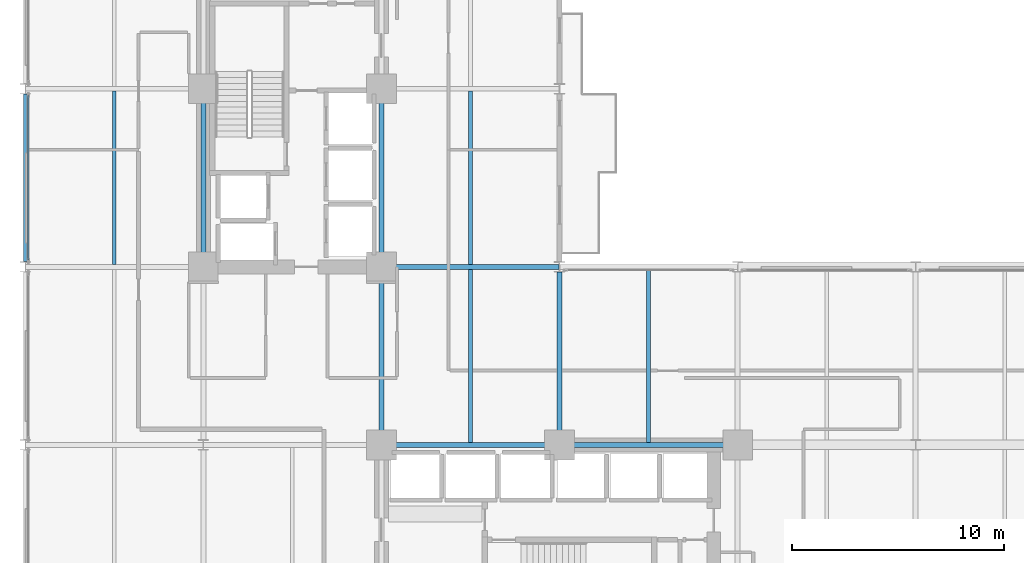
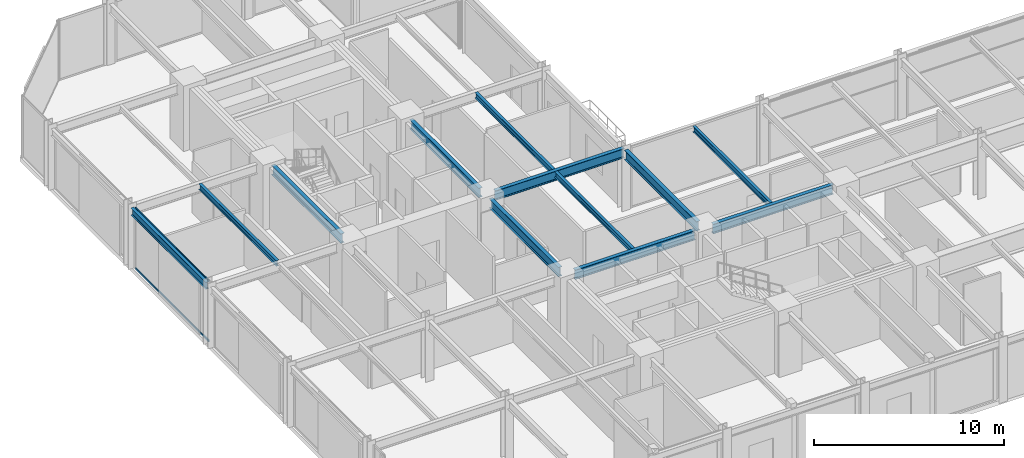
# One storey, part 7 of 25: 12 beams, 2 members, 1 element without a shape of its own.
"""IFC4 building model written with IfcOpenShell, lengths in metres."""

from ifc_helpers import new_model, si_unit, direction, frame, origin, origin_2d, place, context, subcontext, project, spatial, hollow_rectangle, i_section, extrude, material, layer, layer_set, material_profile, profile_set, type_object, element, aggregate, save


model = new_model("IFC4")

# Units and contexts
model_context = context("Model", 3, precision=1e-05, world=origin(), true_north=direction((0.0, 1.0)))
body_context = subcontext(model_context, "Body", "Model", "MODEL_VIEW")
ifc_project = project(units=[si_unit("LENGTHUNIT", "METRE"), si_unit("AREAUNIT", "SQUARE_METRE"), si_unit("VOLUMEUNIT", "CUBIC_METRE"), si_unit("PLANEANGLEUNIT", "RADIAN"), si_unit("MASSUNIT", "GRAM", prefix="KILO")], contexts=[model_context])

# Site, building, storey
site_placement = place(None, origin())
site = spatial("IfcSite", under=ifc_project, at=site_placement, CompositionType="ELEMENT")
building_placement = place(site_placement, origin())
building = spatial("IfcBuilding", under=site, at=building_placement, Name="Nerrivon Quay Data Exchange", CompositionType="ELEMENT")
storey_placement = place(building_placement, frame((0.0, 0.0, 58.39990234375)))
storey = spatial("IfcBuildingStorey", under=building, at=storey_placement, Name="L13", CompositionType="ELEMENT", Elevation=58.39990234375)

# Beams
ifc_material_1 = material(Name="Steel Grade 350", Category="steel")
ifc_material_profile_1 = material_profile(ifc_material_1, i_section(OverallWidth=0.22900390625, OverallDepth=0.612060546875, WebThickness=0.011962890625, FlangeThickness=0.01953125, FilletRadius=0.013916015625, at=origin_2d()), Name="610UB125")
ifc_profile_set_1 = profile_set([ifc_material_profile_1], Name="Steel Grade 350")
beam_type_1 = type_object("IfcBeamType", Name="BM-G1-610UB125", PredefinedType="BEAM", material=ifc_profile_set_1)
beam_1_placement = place(storey_placement, frame((17.340087890625, 16.800048828125, 3.619140625), z_axis=(1.0, 0.0, 0.0), x_axis=(0.0, 1.0, 0.0)))
element("IfcBeam", 1, at=beam_1_placement, inside=storey, type_object=beam_type_1, Name="L13 EW Girder Y=16.8 (16.8..25.2)", PredefinedType="BEAM", context=body_context, shape_type="SweptSolid", body=[
    extrude(i_section(OverallWidth=0.22900390625, OverallDepth=0.612060546875, WebThickness=0.011962890625, FlangeThickness=0.01953125, FilletRadius=0.013916015625, at=origin_2d()), origin(), (0.0, 0.0, 1.0), 7.31982421875),
])
beam_2_placement = place(storey_placement, frame((25.739990234375, 16.800048828125, 3.619140625), z_axis=(1.0, 0.0, 0.0), x_axis=(0.0, 1.0, 0.0)))
element("IfcBeam", 2, at=beam_2_placement, inside=storey, type_object=beam_type_1, Name="L13 EW Girder Y=16.8 (25.2..33.6)", PredefinedType="BEAM", context=body_context, shape_type="SweptSolid", body=[
    extrude(i_section(OverallWidth=0.22900390625, OverallDepth=0.612060546875, WebThickness=0.011962890625, FlangeThickness=0.01953125, FilletRadius=0.013916015625, at=origin_2d()), origin(), (0.0, 0.0, 1.0), 7.320068359375),
])
beam_3_placement = place(storey_placement, frame((17.340087890625, 25.199951171875, 3.619140625), z_axis=(1.0, 0.0, 0.0), x_axis=(0.0, 1.0, 0.0)))
element("IfcBeam", 3, at=beam_3_placement, inside=storey, type_object=beam_type_1, Name="L13 EW Girder Y=25.2 (16.8..25.2)", PredefinedType="BEAM", context=body_context, shape_type="SweptSolid", body=[
    extrude(i_section(OverallWidth=0.22900390625, OverallDepth=0.612060546875, WebThickness=0.011962890625, FlangeThickness=0.01953125, FilletRadius=0.013916015625, at=origin_2d()), origin(), (0.0, 0.0, 1.0), 7.845947265625),
])
ifc_material_profile_2 = material_profile(ifc_material_1, i_section(OverallWidth=0.22802734375, OverallDepth=0.60205078125, WebThickness=0.010498046875, FlangeThickness=0.014892578125, FilletRadius=0.013916015625, at=origin_2d()), Name="610UB101")
ifc_profile_set_2 = profile_set([ifc_material_profile_2], Name="Steel Grade 350")
beam_type_2 = type_object("IfcBeamType", Name="BM-G2-610UB101", PredefinedType="BEAM", material=ifc_profile_set_2)
beam_4_placement = place(storey_placement, frame((8.39990234375, 25.739990234375, 3.6240234375), z_axis=(0.0, 1.0, 0.0), x_axis=(-1.0, 0.0, 0.0)))
element("IfcBeam", 4, at=beam_4_placement, inside=storey, type_object=beam_type_2, Name="L13 NS Girder X=8.4 (25.2..33.6)", PredefinedType="BEAM", context=body_context, shape_type="SweptSolid", body=[
    extrude(i_section(OverallWidth=0.22802734375, OverallDepth=0.60205078125, WebThickness=0.010498046875, FlangeThickness=0.014892578125, FilletRadius=0.013916015625, at=origin_2d()), origin(), (0.0, 0.0, 1.0), 7.320068359375),
])
beam_5_placement = place(storey_placement, frame((16.800048828125, 17.340087890625, 3.6240234375), z_axis=(0.0, 1.0, 0.0), x_axis=(-1.0, 0.0, 0.0)))
element("IfcBeam", 5, at=beam_5_placement, inside=storey, type_object=beam_type_2, Name="L13 NS Girder X=16.8 (16.8..25.2)", PredefinedType="BEAM", context=body_context, shape_type="SweptSolid", body=[
    extrude(i_section(OverallWidth=0.22802734375, OverallDepth=0.60205078125, WebThickness=0.010498046875, FlangeThickness=0.014892578125, FilletRadius=0.013916015625, at=origin_2d()), origin(), (0.0, 0.0, 1.0), 7.31982421875),
])
beam_6_placement = place(storey_placement, frame((16.800048828125, 25.739990234375, 3.6240234375), z_axis=(0.0, 1.0, 0.0), x_axis=(-1.0, 0.0, 0.0)))
element("IfcBeam", 6, at=beam_6_placement, inside=storey, type_object=beam_type_2, Name="L13 NS Girder X=16.8 (25.2..33.6)", PredefinedType="BEAM", context=body_context, shape_type="SweptSolid", body=[
    extrude(i_section(OverallWidth=0.22802734375, OverallDepth=0.60205078125, WebThickness=0.010498046875, FlangeThickness=0.014892578125, FilletRadius=0.013916015625, at=origin_2d()), origin(), (0.0, 0.0, 1.0), 7.320068359375),
])
beam_7_placement = place(storey_placement, frame((25.199951171875, 17.340087890625, 3.6240234375), z_axis=(0.0, 1.0, 0.0), x_axis=(-1.0, 0.0, 0.0)))
element("IfcBeam", 7, at=beam_7_placement, inside=storey, type_object=beam_type_2, Name="L13 NS Girder X=25.2 (16.8..25.2)", PredefinedType="BEAM", context=body_context, shape_type="SweptSolid", body=[
    extrude(i_section(OverallWidth=0.22802734375, OverallDepth=0.60205078125, WebThickness=0.010498046875, FlangeThickness=0.014892578125, FilletRadius=0.013916015625, at=origin_2d()), origin(), (0.0, 0.0, 1.0), 7.60986328125),
])
ifc_material_profile_3 = material_profile(ifc_material_1, i_section(OverallWidth=0.172119140625, OverallDepth=0.35888671875, WebThickness=0.008056640625, FlangeThickness=0.012939453125, FilletRadius=0.011474609375, at=origin_2d()), Name="360UB56.7")
ifc_profile_set_3 = profile_set([ifc_material_profile_3], Name="Steel Grade 350")
beam_type_3 = type_object("IfcBeamType", Name="BM-J3-360UB57", PredefinedType="JOIST", material=ifc_profile_set_3)
beam_8_placement = place(storey_placement, frame((4.199951171875, 25.314453125, 3.74560546875), z_axis=(0.0, 1.0, 0.0), x_axis=(-1.0, 0.0, 0.0)))
element("IfcBeam", 8, at=beam_8_placement, inside=storey, type_object=beam_type_3, Name="L13 Secondary Joist X=4.2 (25.2..33.6)", PredefinedType="JOIST", context=body_context, shape_type="SweptSolid", body=[
    extrude(i_section(OverallWidth=0.172119140625, OverallDepth=0.35888671875, WebThickness=0.008056640625, FlangeThickness=0.012939453125, FilletRadius=0.011474609375, at=origin_2d()), origin(), (0.0, 0.0, 1.0), 8.171142578125),
])
beam_9_placement = place(storey_placement, frame((21.0, 16.91455078125, 3.74560546875), z_axis=(0.0, 1.0, 0.0), x_axis=(-1.0, 0.0, 0.0)))
element("IfcBeam", 9, at=beam_9_placement, inside=storey, type_object=beam_type_3, Name="L13 Secondary Joist X=21.0 (16.8..25.2)", PredefinedType="JOIST", context=body_context, shape_type="SweptSolid", body=[
    extrude(i_section(OverallWidth=0.172119140625, OverallDepth=0.35888671875, WebThickness=0.008056640625, FlangeThickness=0.012939453125, FilletRadius=0.011474609375, at=origin_2d()), origin(), (0.0, 0.0, 1.0), 8.1708984375),
])
beam_10_placement = place(storey_placement, frame((21.0, 25.314453125, 3.74560546875), z_axis=(0.0, 1.0, 0.0), x_axis=(-1.0, 0.0, 0.0)))
element("IfcBeam", 10, at=beam_10_placement, inside=storey, type_object=beam_type_3, Name="L13 Secondary Joist X=21.0 (25.2..33.6)", PredefinedType="JOIST", context=body_context, shape_type="SweptSolid", body=[
    extrude(i_section(OverallWidth=0.172119140625, OverallDepth=0.35888671875, WebThickness=0.008056640625, FlangeThickness=0.012939453125, FilletRadius=0.011474609375, at=origin_2d()), origin(), (0.0, 0.0, 1.0), 8.171142578125),
])
beam_11_placement = place(storey_placement, frame((29.39990234375, 16.91455078125, 3.74560546875), z_axis=(0.0, 1.0, 0.0), x_axis=(-1.0, 0.0, 0.0)))
element("IfcBeam", 11, at=beam_11_placement, inside=storey, type_object=beam_type_3, Name="L13 Secondary Joist X=29.4 (16.8..25.2)", PredefinedType="JOIST", context=body_context, shape_type="SweptSolid", body=[
    extrude(i_section(OverallWidth=0.172119140625, OverallDepth=0.35888671875, WebThickness=0.008056640625, FlangeThickness=0.012939453125, FilletRadius=0.011474609375, at=origin_2d()), origin(), (0.0, 0.0, 1.0), 8.1708984375),
])
ifc_material_profile_4 = material_profile(ifc_material_1, i_section(OverallWidth=0.18994140625, OverallDepth=0.4541015625, WebThickness=0.008544921875, FlangeThickness=0.0126953125, FilletRadius=0.011474609375, at=origin_2d()), Name="460UB67.1")
ifc_profile_set_4 = profile_set([ifc_material_profile_4], Name="Steel Grade 350")
beam_type_4 = type_object("IfcBeamType", Name="BM-SP1-460UB67", PredefinedType="SPANDREL", material=ifc_profile_set_4)
beam_12_placement = place(storey_placement, frame((0.0, 25.449951171875, 3.697998046875), z_axis=(0.0, 1.0, 0.0), x_axis=(-1.0, 0.0, 0.0)))
element("IfcBeam", 12, at=beam_12_placement, inside=storey, type_object=beam_type_4, Name="L13 NS Girder X=0.0 (25.2..33.6)", PredefinedType="SPANDREL", context=body_context, shape_type="SweptSolid", body=[
    extrude(i_section(OverallWidth=0.18994140625, OverallDepth=0.4541015625, WebThickness=0.008544921875, FlangeThickness=0.0126953125, FilletRadius=0.011474609375, at=origin_2d()), origin(), (0.0, 0.0, 1.0), 7.900146484375),
])

# Curtain wall, members
ifc_material_2 = material(Name="Anodised aluminium 6063-T6", Category="aluminium")
ifc_layer = layer(ifc_material_2, 0.219970703125)
ifc_layer_set = layer_set([ifc_layer], Name="Anodised aluminium 6063-T6")
curtain_wall_type = type_object("IfcCurtainWallType", Name="CW-SYS-01", PredefinedType="NOTDEFINED", material=ifc_layer_set)
curtain_wall_placement = place(storey_placement, origin())
curtain_wall = element("IfcCurtainWall", 13, at=curtain_wall_placement, inside=storey, type_object=curtain_wall_type, Name="L13 Unitised Curtain Wall 16", PredefinedType="NOTDEFINED")
ifc_material_profile_5 = material_profile(ifc_material_2, hollow_rectangle(XDim=0.06005859375, YDim=0.1201171875, WallThickness=0.003173828125, at=origin_2d()), Name="ALU-TRAN-120x60")
ifc_profile_set_5 = profile_set([ifc_material_profile_5], Name="Anodised aluminium 6063-T6")
member_type = type_object("IfcMemberType", Name="CWT-120x60", PredefinedType="USERDEFINED", material=ifc_profile_set_5)
member_1_placement = place(storey_placement, frame((0.139892578125, 25.52490234375, 0.03271484375), z_axis=(0.0, 1.0, 0.0), x_axis=(-1.0, 0.0, 0.0)))
member_1 = element("IfcMember", 14, at=member_1_placement, type_object=member_type, Name="CW01 transom 1.1", ObjectType="TRANSOM", PredefinedType="USERDEFINED", context=body_context, shape_type="SweptSolid", body=[
    extrude(hollow_rectangle(XDim=0.06005859375, YDim=0.1201171875, WallThickness=0.003173828125, at=origin_2d()), origin(), (0.0, 0.0, 1.0), 7.75),
])
member_2_placement = place(storey_placement, frame((0.139892578125, 25.52490234375, 3.892578125), z_axis=(0.0, 1.0, 0.0), x_axis=(-1.0, 0.0, 0.0)))
member_2 = element("IfcMember", 15, at=member_2_placement, type_object=member_type, Name="CW01 transom 1.2", ObjectType="TRANSOM", PredefinedType="USERDEFINED", context=body_context, shape_type="SweptSolid", body=[
    extrude(hollow_rectangle(XDim=0.06005859375, YDim=0.1201171875, WallThickness=0.003173828125, at=origin_2d()), origin(), (0.0, 0.0, 1.0), 7.75),
])
aggregate(curtain_wall, [member_1, member_2])

save(model, "model.ifc")
